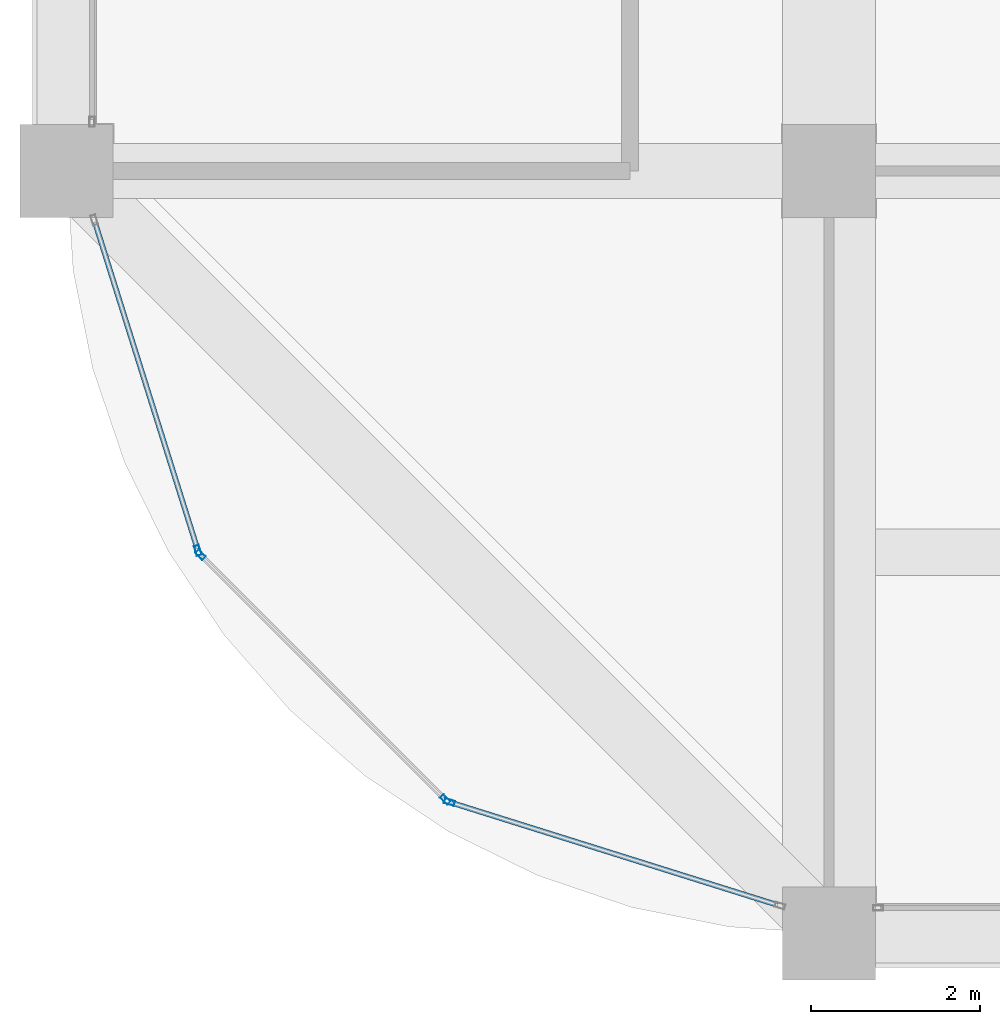
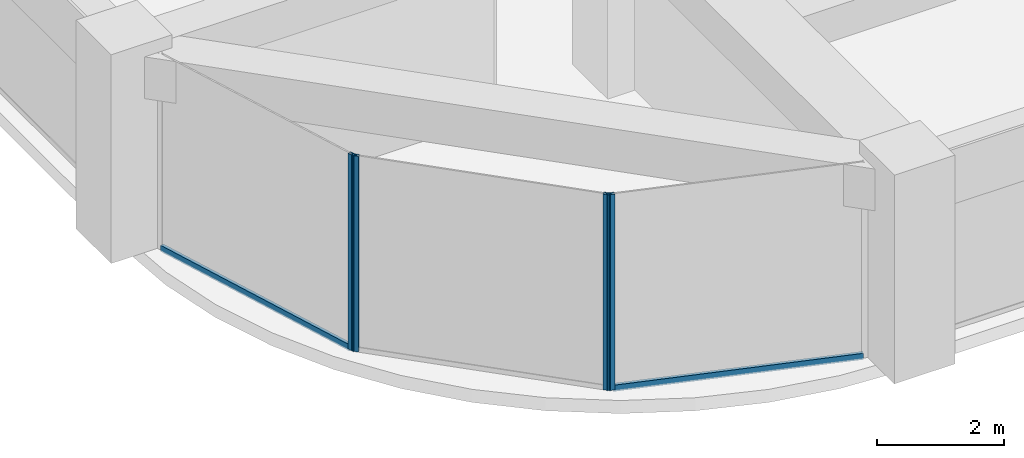
# One storey, part 2 of 44: 6 members, 3 elements without a shape of their own.
"""IFC4 building model written with IfcOpenShell, lengths in metres."""

from ifc_helpers import new_model, si_unit, direction, frame, origin, origin_2d, place, context, subcontext, project, spatial, hollow_rectangle, extrude, material, material_profile, profile_set, type_object, element, aggregate, save


model = new_model("IFC4")

# Units and contexts
model_context = context("Model", 3, precision=1e-05, world=origin(), true_north=direction((0.0, 1.0)))
body_context = subcontext(model_context, "Body", "Model", "MODEL_VIEW")
ifc_project = project(units=[si_unit("LENGTHUNIT", "METRE"), si_unit("AREAUNIT", "SQUARE_METRE"), si_unit("VOLUMEUNIT", "CUBIC_METRE"), si_unit("PLANEANGLEUNIT", "RADIAN"), si_unit("MASSUNIT", "GRAM", prefix="KILO")], contexts=[model_context])

# Site, building, storey
site_placement = place(None, origin())
site = spatial("IfcSite", under=ifc_project, at=site_placement, CompositionType="ELEMENT")
building_placement = place(site_placement, origin())
building = spatial("IfcBuilding", under=site, at=building_placement, Name="Zorevar Civic Tower", CompositionType="ELEMENT")
storey_placement = place(building_placement, frame((0.0, 0.0, 263.39990234375)))
storey = spatial("IfcBuildingStorey", under=building, at=storey_placement, Name="L64", CompositionType="ELEMENT", Elevation=263.39990234375)

# Curtain wall, member
ifc_material_1 = material(Name="Dark grey solar-control glass in black aluminium frame", Category="aluminium")
curtain_wall_type = type_object("IfcCurtainWallType", Name="Curtain wall CW5 top zone", PredefinedType="NOTDEFINED", material=ifc_material_1)
curtain_wall_1_placement = place(storey_placement, origin())
curtain_wall_1 = element("IfcCurtainWall", 1, at=curtain_wall_1_placement, inside=storey, type_object=curtain_wall_type, Name="CW5 L64", PredefinedType="NOTDEFINED")
ifc_material_2 = material(Name="Aluminium, black anodised", Category="aluminium")
ifc_material_profile_1 = material_profile(ifc_material_2, hollow_rectangle(XDim=0.06005859375, YDim=0.1201171875, WallThickness=0.0029296875, at=origin_2d()), Name="AL 120x60x3")
ifc_profile_set_1 = profile_set([ifc_material_profile_1], Name="Aluminium, black anodised")
member_type_1 = type_object("IfcMemberType", Name="CW5 mullion AL 120x60x3", PredefinedType="MULLION", material=ifc_profile_set_1)
member_1_placement = place(storey_placement, frame((10.550048828125, 4.520751953125, 0.0), z_axis=(0.0, 0.0, 1.0), x_axis=(0.954153437674, 0.299317920238, 0.0)))
member_1 = element("IfcMember", 2, at=member_1_placement, type_object=member_type_1, Name="CW5 mullion 2", PredefinedType="MULLION", context=body_context, shape_type="SweptSolid", body=[
    extrude(hollow_rectangle(XDim=0.06005859375, YDim=0.1201171875, WallThickness=0.0029296875, at=origin_2d()), origin(), (0.0, 0.0, 1.0), 3.75),
])

# Curtain wall, members
curtain_wall_2_placement = place(storey_placement, origin())
curtain_wall_2 = element("IfcCurtainWall", 3, at=curtain_wall_2_placement, inside=storey, type_object=curtain_wall_type, Name="CW5 L64", PredefinedType="NOTDEFINED")
member_2_placement = place(storey_placement, frame((10.580322265625, 4.470947265625, 0.0), z_axis=(0.0, 0.0, 1.0), x_axis=(0.707106781187, 0.707106781187, 0.0)))
member_2 = element("IfcMember", 4, at=member_2_placement, type_object=member_type_1, Name="CW5 mullion 1", PredefinedType="MULLION", context=body_context, shape_type="SweptSolid", body=[
    extrude(hollow_rectangle(XDim=0.06005859375, YDim=0.1201171875, WallThickness=0.0029296875, at=origin_2d()), origin(), (0.0, 0.0, 1.0), 3.75),
])
member_3_placement = place(storey_placement, frame((13.470947265625, 1.580322265625, 0.0), z_axis=(0.0, 0.0, 1.0), x_axis=(0.707106781187, 0.707106781187, 0.0)))
member_3 = element("IfcMember", 5, at=member_3_placement, type_object=member_type_1, Name="CW5 mullion 2", PredefinedType="MULLION", context=body_context, shape_type="SweptSolid", body=[
    extrude(hollow_rectangle(XDim=0.06005859375, YDim=0.1201171875, WallThickness=0.0029296875, at=origin_2d()), origin(), (0.0, 0.0, 1.0), 3.75),
])
aggregate(curtain_wall_2, [member_2, member_3])

# Curtain wall, member
curtain_wall_3_placement = place(storey_placement, origin())
curtain_wall_3 = element("IfcCurtainWall", 6, at=curtain_wall_3_placement, inside=storey, type_object=curtain_wall_type, Name="CW5 L64", PredefinedType="NOTDEFINED")
member_4_placement = place(storey_placement, frame((13.520751953125, 1.550048828125, 0.0), z_axis=(0.0, 0.0, 1.0), x_axis=(0.299317920238, 0.954153437674, 0.0)))
member_4 = element("IfcMember", 7, at=member_4_placement, type_object=member_type_1, Name="CW5 mullion 1", PredefinedType="MULLION", context=body_context, shape_type="SweptSolid", body=[
    extrude(hollow_rectangle(XDim=0.06005859375, YDim=0.1201171875, WallThickness=0.0029296875, at=origin_2d()), origin(), (0.0, 0.0, 1.0), 3.75),
])

# Member
ifc_material_3 = material(Name="Aluminium, black anodised", Category="aluminium")
ifc_material_profile_2 = material_profile(ifc_material_3, hollow_rectangle(XDim=0.06005859375, YDim=0.1201171875, WallThickness=0.0029296875, at=origin_2d()), Name="AL 120x60x3")
ifc_profile_set_2 = profile_set([ifc_material_profile_2], Name="Aluminium, black anodised")
member_type_2 = type_object("IfcMemberType", Name="CW5 transom AL 120x60x3", PredefinedType="USERDEFINED", material=ifc_profile_set_2)
member_5_placement = place(storey_placement, frame((9.33544921875, 8.392822265625, 0.030029296875), z_axis=(0.299285978047, -0.954163457351, 0.0), x_axis=(0.954163457351, 0.299285978047, 0.0)))
member_5 = element("IfcMember", 8, at=member_5_placement, type_object=member_type_2, Name="CW5 sill transom", ObjectType="TRANSOM", PredefinedType="USERDEFINED", context=body_context, shape_type="SweptSolid", body=[
    extrude(hollow_rectangle(XDim=0.06005859375, YDim=0.1201171875, WallThickness=0.0029296875, at=origin_2d()), origin(), (0.0, 0.0, 1.0), 4.028076171875),
])

aggregate(curtain_wall_1, [member_1, member_5])

member_6_placement = place(storey_placement, frame((13.54931640625, 1.541015625, 0.030029296875), z_axis=(0.954163457351, -0.299285978047, 0.0), x_axis=(0.299285978047, 0.954163457351, 0.0)))
member_6 = element("IfcMember", 9, at=member_6_placement, type_object=member_type_2, Name="CW5 sill transom", ObjectType="TRANSOM", PredefinedType="USERDEFINED", context=body_context, shape_type="SweptSolid", body=[
    extrude(hollow_rectangle(XDim=0.06005859375, YDim=0.1201171875, WallThickness=0.0029296875, at=origin_2d()), origin(), (0.0, 0.0, 1.0), 4.028076171875),
])

aggregate(curtain_wall_3, [member_4, member_6])

save(model, "model.ifc")
